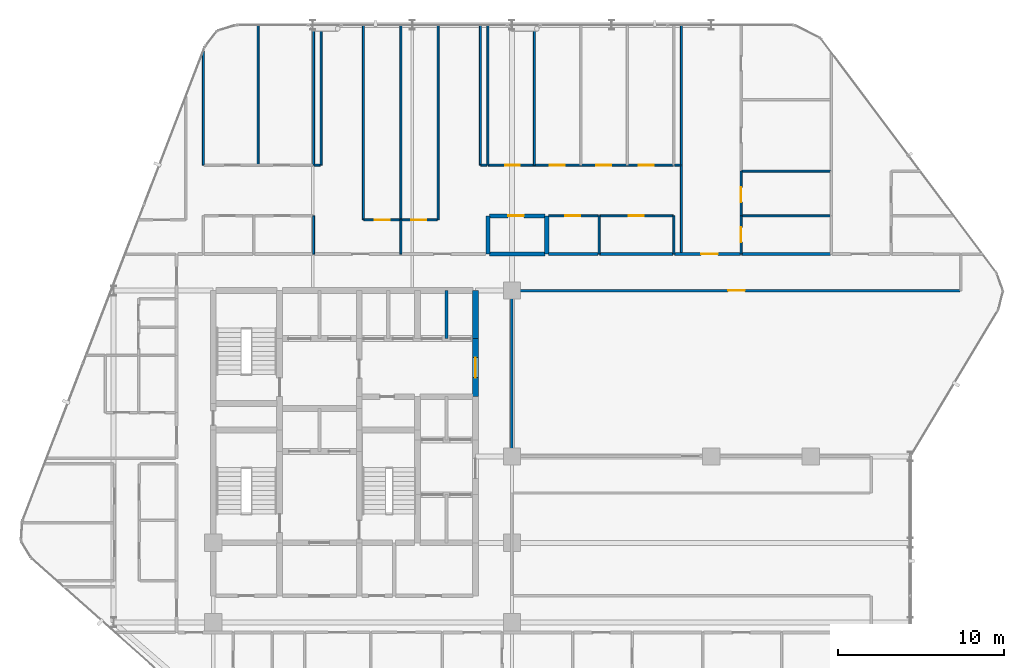
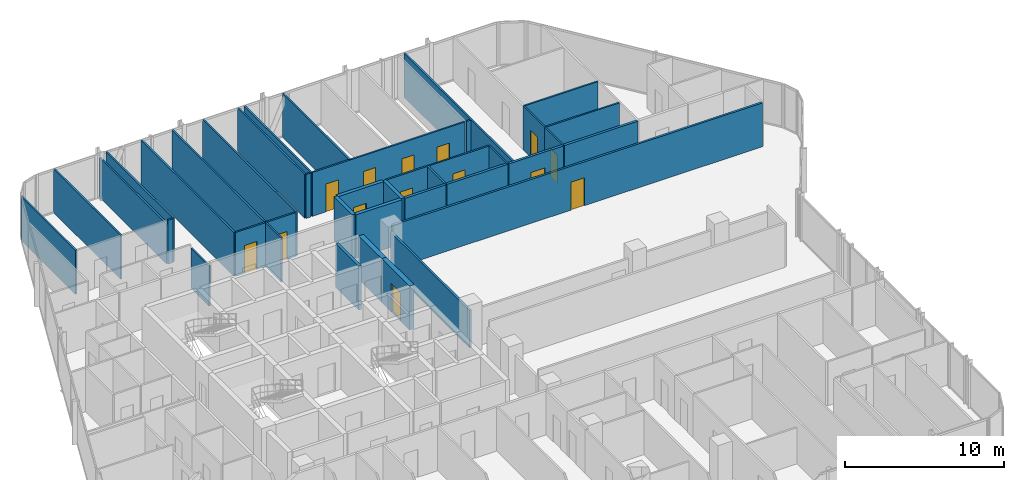
# One storey, part 28 of 30: 39 walls, 14 doors, 14 openings.
"""IFC4 building model written with IfcOpenShell, lengths in metres."""

from ifc_helpers import new_model, si_unit, direction, frame, frame_2d, origin, place, context, subcontext, project, spatial, rectangle, extrude, material, layer, layer_set, type_object, element, fill, save


model = new_model("IFC4")

# Units and contexts
model_context = context("Model", 3, precision=1e-05, world=origin(), true_north=direction((0.0, 1.0)))
body_context = subcontext(model_context, "Body", "Model", "MODEL_VIEW")
ifc_project = project(units=[si_unit("LENGTHUNIT", "METRE"), si_unit("AREAUNIT", "SQUARE_METRE"), si_unit("VOLUMEUNIT", "CUBIC_METRE"), si_unit("PLANEANGLEUNIT", "RADIAN"), si_unit("MASSUNIT", "GRAM", prefix="KILO")], contexts=[model_context])

# Site, building, storey
site_placement = place(None, origin())
site = spatial("IfcSite", under=ifc_project, at=site_placement, CompositionType="ELEMENT")
building_placement = place(site_placement, origin())
building = spatial("IfcBuilding", under=site, at=building_placement, Name="Keshet Zoharim Tower", CompositionType="ELEMENT")
storey_placement = place(building_placement, frame((0.0, 0.0, 116.800048828125)))
storey = spatial("IfcBuildingStorey", under=building, at=storey_placement, Name="L28", CompositionType="ELEMENT", Elevation=116.800048828125)

# Wall
ifc_material_1 = material(Name="Gypsum Plasterboard", Category="gypsum")
ifc_layer_1 = layer(ifc_material_1, 0.14990234375)
ifc_layer_set_1 = layer_set([ifc_layer_1], Name="Gypsum Plasterboard")
wall_type_1 = type_object("IfcWallType", Name="WL-CLIN-150", PredefinedType="STANDARD", material=ifc_layer_set_1)
wall_1_placement = place(storey_placement, frame((33.0, 27.909912109375, 0.0), z_axis=(0.0, 0.0, 1.0), x_axis=(0.0, 1.0, 0.0)))
element("IfcWall", 1, at=wall_1_placement, inside=storey, type_object=wall_type_1, Name="L28 Interior Wall 076", PredefinedType="STANDARD", context=body_context, shape_type="SweptSolid", body=[
    extrude(rectangle(XDim=9.97998046875, YDim=0.14990234375, at=frame_2d((4.989990234375, 0.0))), origin(), (0.0, 0.0, 1.0), 2.8798828125),
])

# Wall, opening, door
wall_2_placement = place(storey_placement, frame((33.070068359375, 37.89990234375, 0.0), z_axis=(0.0, 0.0, 1.0), x_axis=(1.0, 0.0, 0.0)))
wall_2 = element("IfcWall", 2, at=wall_2_placement, inside=storey, type_object=wall_type_1, Name="L28 Interior Wall 181", PredefinedType="STANDARD", context=body_context, shape_type="SweptSolid", body=[
    extrude(rectangle(XDim=26.934814453125, YDim=0.14990234375, at=frame_2d((13.46728515625, 0.0))), origin(), (0.0, 0.0, 1.0), 3.3798828125),
])
opening_1_placement = place(wall_2_placement, frame((12.9599609375, 0.0, 0.0)))
opening_1 = element("IfcOpeningElement", 3, at=opening_1_placement, cuts=wall_2, Name="Opening D-F310", PredefinedType="OPENING", context=body_context, shape_type="SweptSolid", body=[
    extrude(rectangle(XDim=1.0, YDim=2.14990234375, at=frame_2d((0.5, 1.074951171875))), frame((0.0, 0.0849609375, 0.0), z_axis=(0.0, -1.0, 0.0), x_axis=(1.0, 0.0, 0.0)), (0.0, 0.0, 1.0), 0.169921875),
])
ifc_material_2 = material(Name="Hardwood Timber", Category="wood")
door_type_1 = type_object("IfcDoorType", Name="DR-FD30-100", OperationType="NOTDEFINED", PredefinedType="DOOR", material=ifc_material_2)
door_1_placement = place(opening_1_placement, origin())
door_1 = element("IfcDoor", 4, at=door_1_placement, inside=storey, type_object=door_type_1, Name="L28 North East Residents Services Suite Door 1", OperationType="SINGLE_SWING_LEFT", OverallHeight=2.14990234375, OverallWidth=1.0, PredefinedType="DOOR", context=body_context, shape_type="SweptSolid", body=[
    extrude(rectangle(XDim=1.0, YDim=2.14990234375, at=frame_2d((0.5, 1.074951171875))), frame((0.0, 0.02490234375, 0.0), z_axis=(0.0, -1.0, 0.0), x_axis=(1.0, 0.0, 0.0)), (0.0, 0.0, 1.0), 0.050048828125),
])
fill(opening_1, door_1)

ifc_material_3 = material(Name="Concrete C60/75", Category="concrete")
ifc_layer_2 = layer(ifc_material_3, 0.35009765625)
ifc_layer_set_2 = layer_set([ifc_layer_2], Name="Concrete C60/75")
wall_type_2 = type_object("IfcWallType", Name="WL-CORE-350", PredefinedType="SHEAR", material=ifc_layer_set_2)
wall_3_placement = place(storey_placement, frame((30.800048828125, 31.5, 0.0), z_axis=(0.0, 0.0, 1.0), x_axis=(0.0, 1.0, 0.0)))
wall_3 = element("IfcWall", 5, at=wall_3_placement, inside=storey, type_object=wall_type_2, Name="L28 Core Shear Wall 067", PredefinedType="SHEAR", context=body_context, shape_type="SweptSolid", body=[
    extrude(rectangle(XDim=3.5, YDim=0.35009765625, at=frame_2d((1.75, 0.0))), origin(), (0.0, 0.0, 1.0), 3.3798828125),
])
opening_2_placement = place(wall_3_placement, frame((1.14990234375, 0.0, 0.0)))
opening_2 = element("IfcOpeningElement", 6, at=opening_2_placement, cuts=wall_3, Name="Opening D-F612", PredefinedType="OPENING", context=body_context, shape_type="SweptSolid", body=[
    extrude(rectangle(XDim=1.199951171875, YDim=2.199951171875, at=frame_2d((0.60009765625, 1.10009765625))), frame((0.0, 0.18505859375, 0.0), z_axis=(0.0, -1.0, 0.0), x_axis=(1.0, 0.0, 0.0)), (0.0, 0.0, 1.0), 0.3701171875),
])
door_type_2 = type_object("IfcDoorType", Name="DR-FD60-120", OperationType="NOTDEFINED", PredefinedType="DOOR", material=ifc_material_2)
door_2_placement = place(opening_2_placement, origin())
door_2 = element("IfcDoor", 7, at=door_2_placement, inside=storey, type_object=door_type_2, Name="L28 North Lift Lobby East Fire Door", OperationType="SINGLE_SWING_LEFT", OverallHeight=2.199951171875, OverallWidth=1.199951171875, PredefinedType="DOOR", context=body_context, shape_type="SweptSolid", body=[
    extrude(rectangle(XDim=1.199951171875, YDim=2.199951171875, at=frame_2d((0.60009765625, 1.10009765625))), frame((0.0, 0.02490234375, 0.0), z_axis=(0.0, -1.0, 0.0), x_axis=(1.0, 0.0, 0.0)), (0.0, 0.0, 1.0), 0.050048828125),
])
fill(opening_2, door_2)

# Walls
wall_4_placement = place(storey_placement, frame((30.800048828125, 35.0, 0.0), z_axis=(0.0, 0.0, 1.0), x_axis=(0.0, 1.0, 0.0)))
element("IfcWall", 8, at=wall_4_placement, inside=storey, type_object=wall_type_2, Name="L28 Core Shear Wall 068", PredefinedType="SHEAR", context=body_context, shape_type="SweptSolid", body=[
    extrude(rectangle(XDim=2.89990234375, YDim=0.35009765625, at=frame_2d((1.449951171875, 0.0))), origin(), (0.0, 0.0, 1.0), 3.3798828125),
])
ifc_layer_3 = layer(ifc_material_1, 0.179931640625)
ifc_layer_set_3 = layer_set([ifc_layer_3], Name="Gypsum Plasterboard")
wall_type_3 = type_object("IfcWallType", Name="WL-CORR-180", PredefinedType="STANDARD", material=ifc_layer_set_3)
wall_5_placement = place(storey_placement, frame((35.2080078125, 40.10009765625, 0.0), z_axis=(0.0, 0.0, 1.0), x_axis=(1.0, 0.0, 0.0)))
element("IfcWall", 9, at=wall_5_placement, inside=storey, type_object=wall_type_3, Name="L28 Interior Wall 188", PredefinedType="STANDARD", context=body_context, shape_type="SweptSolid", body=[
    extrude(rectangle(XDim=2.987060546875, YDim=0.179931640625, at=frame_2d((1.49365234375, 0.0))), origin(), (0.0, 0.0, 1.0), 3.3798828125),
])
wall_6_placement = place(storey_placement, frame((38.284912109375, 40.10009765625, 0.0), z_axis=(0.0, 0.0, 1.0), x_axis=(1.0, 0.0, 0.0)))
element("IfcWall", 10, at=wall_6_placement, inside=storey, type_object=wall_type_3, Name="L28 Interior Wall 189", PredefinedType="STANDARD", context=body_context, shape_type="SweptSolid", body=[
    extrude(rectangle(XDim=4.420166015625, YDim=0.179931640625, at=frame_2d((2.2099609375, 0.0))), origin(), (0.0, 0.0, 1.0), 3.3798828125),
])

# Wall, opening, door
wall_7_placement = place(storey_placement, frame((42.794921875, 40.10009765625, 0.0), z_axis=(0.0, 0.0, 1.0), x_axis=(1.0, 0.0, 0.0)))
wall_7 = element("IfcWall", 11, at=wall_7_placement, inside=storey, type_object=wall_type_3, Name="L28 Interior Wall 190", PredefinedType="STANDARD", context=body_context, shape_type="SweptSolid", body=[
    extrude(rectangle(XDim=3.9599609375, YDim=0.179931640625, at=frame_2d((1.97998046875, 0.0))), origin(), (0.0, 0.0, 1.0), 3.3798828125),
])
opening_3_placement = place(wall_7_placement, frame((1.60888671875, 0.0, 0.0)))
opening_3 = element("IfcOpeningElement", 12, at=opening_3_placement, cuts=wall_7, Name="Opening D-F310", PredefinedType="OPENING", context=body_context, shape_type="SweptSolid", body=[
    extrude(rectangle(XDim=1.0, YDim=2.14990234375, at=frame_2d((0.5, 1.074951171875))), frame((0.0, 0.10009765625, 0.0), z_axis=(0.0, -1.0, 0.0), x_axis=(1.0, 0.0, 0.0)), (0.0, 0.0, 1.0), 0.199951171875),
])
door_3_placement = place(opening_3_placement, origin())
door_3 = element("IfcDoor", 13, at=door_3_placement, inside=storey, type_object=door_type_1, Name="Apartment 2807 Entrance Door", OperationType="SINGLE_SWING_RIGHT", OverallHeight=2.14990234375, OverallWidth=1.0, PredefinedType="DOOR", context=body_context, shape_type="SweptSolid", body=[
    extrude(rectangle(XDim=1.0, YDim=2.14990234375, at=frame_2d((0.5, 1.074951171875))), frame((0.0, 0.02490234375, 0.0), z_axis=(0.0, -1.0, 0.0), x_axis=(1.0, 0.0, 0.0)), (0.0, 0.0, 1.0), 0.050048828125),
])
fill(opening_3, door_3)

# Walls
wall_8_placement = place(storey_placement, frame((46.844970703125, 40.10009765625, 0.0), z_axis=(0.0, 0.0, 1.0), x_axis=(1.0, 0.0, 0.0)))
element("IfcWall", 14, at=wall_8_placement, inside=storey, type_object=wall_type_3, Name="L28 Interior Wall 191", PredefinedType="STANDARD", context=body_context, shape_type="SweptSolid", body=[
    extrude(rectangle(XDim=5.340087890625, YDim=0.179931640625, at=frame_2d((2.669921875, 0.0))), origin(), (0.0, 0.0, 1.0), 3.3798828125),
])
ifc_material_4 = material(Name="Concrete C50/60", Category="concrete")
ifc_layer_4 = layer(ifc_material_4, 0.199951171875)
ifc_layer_set_4 = layer_set([ifc_layer_4], Name="Concrete C50/60")
wall_type_4 = type_object("IfcWallType", Name="WL-FIRE-200", PredefinedType="STANDARD", material=ifc_layer_set_4)
wall_9_placement = place(storey_placement, frame((29.050048828125, 35.0, 0.0), z_axis=(0.0, 0.0, 1.0), x_axis=(0.0, 1.0, 0.0)))
element("IfcWall", 15, at=wall_9_placement, inside=storey, type_object=wall_type_4, Name="L28 Interior Wall 062", PredefinedType="STANDARD", context=body_context, shape_type="SweptSolid", body=[
    extrude(rectangle(XDim=2.89990234375, YDim=0.199951171875, at=frame_2d((1.449951171875, 0.0))), origin(), (0.0, 0.0, 1.0), 3.3798828125),
])
ifc_layer_5 = layer(ifc_material_4, 0.25)
ifc_layer_set_5 = layer_set([ifc_layer_5], Name="Concrete C50/60")
wall_type_5 = type_object("IfcWallType", Name="WL-MAMAD-250", PredefinedType="STANDARD", material=ifc_layer_set_5)
for number, where, z_axis, x_axis, name in (
    (16, (31.550048828125, 40.10009765625, 0.0), (0.0, 0.0, 1.0), (0.0, 1.0, 0.0), "L28 Interior Wall 070"),
    (17, (35.10009765625, 40.10009765625, 0.0), (0.0, 0.0, 1.0), (0.0, 1.0, 0.0), "L28 Interior Wall 078"),
):
    element("IfcWall", number, at=place(storey_placement, frame(where, z_axis=z_axis, x_axis=x_axis)), inside=storey, type_object=wall_type_5, Name=name, PredefinedType="STANDARD", context=body_context, shape_type="SweptSolid", body=[
        extrude(rectangle(XDim=2.2998046875, YDim=0.25, at=frame_2d((1.14990234375, 0.0))), origin(), (0.0, 0.0, 1.0), 3.3798828125),
    ])
wall_10_placement = place(storey_placement, frame((31.639892578125, 40.10009765625, 0.0), z_axis=(0.0, 0.0, 1.0), x_axis=(1.0, 0.0, 0.0)))
element("IfcWall", 18, at=wall_10_placement, inside=storey, type_object=wall_type_5, Name="L28 Interior Wall 187", PredefinedType="STANDARD", context=body_context, shape_type="SweptSolid", body=[
    extrude(rectangle(XDim=3.34814453125, YDim=0.25, at=frame_2d((1.674072265625, 0.0))), origin(), (0.0, 0.0, 1.0), 3.3798828125),
])

# Wall, opening, door
wall_11_placement = place(storey_placement, frame((31.639892578125, 42.39990234375, 0.0), z_axis=(0.0, 0.0, 1.0), x_axis=(1.0, 0.0, 0.0)))
wall_11 = element("IfcWall", 19, at=wall_11_placement, inside=storey, type_object=wall_type_5, Name="L28 Interior Wall 200", PredefinedType="STANDARD", context=body_context, shape_type="SweptSolid", body=[
    extrude(rectangle(XDim=3.34814453125, YDim=0.25, at=frame_2d((1.674072265625, 0.0))), origin(), (0.0, 0.0, 1.0), 3.3798828125),
])
opening_4_placement = place(wall_11_placement, frame((1.1279296875, 0.0, 0.0)))
opening_4 = element("IfcOpeningElement", 20, at=opening_4_placement, cuts=wall_11, Name="Opening D-F695", PredefinedType="OPENING", context=body_context, shape_type="SweptSolid", body=[
    extrude(rectangle(XDim=0.949951171875, YDim=2.14990234375, at=frame_2d((0.47509765625, 1.074951171875))), frame((0.0, 0.135009765625, 0.0), z_axis=(0.0, -1.0, 0.0), x_axis=(1.0, 0.0, 0.0)), (0.0, 0.0, 1.0), 0.27001953125),
])
door_type_3 = type_object("IfcDoorType", Name="DR-FD60-095", OperationType="NOTDEFINED", PredefinedType="DOOR", material=ifc_material_2)
door_4_placement = place(opening_4_placement, origin())
door_4 = element("IfcDoor", 21, at=door_4_placement, inside=storey, type_object=door_type_3, Name="Apartment 2806 Study and Shelter Room Door", OperationType="SINGLE_SWING_LEFT", OverallHeight=2.14990234375, OverallWidth=0.949951171875, PredefinedType="DOOR", context=body_context, shape_type="SweptSolid", body=[
    extrude(rectangle(XDim=0.949951171875, YDim=2.14990234375, at=frame_2d((0.47509765625, 1.074951171875))), frame((0.0, 0.02490234375, 0.0), z_axis=(0.0, -1.0, 0.0), x_axis=(1.0, 0.0, 0.0)), (0.0, 0.0, 1.0), 0.050048828125),
])
fill(opening_4, door_4)

# Walls
ifc_layer_6 = layer(ifc_material_1, 0.1201171875)
ifc_layer_set_6 = layer_set([ifc_layer_6], Name="Gypsum Plasterboard")
wall_type_6 = type_object("IfcWallType", Name="WL-PART-120", PredefinedType="PARTITIONING", material=ifc_layer_set_6)
wall_12_placement = place(storey_placement, frame((14.39990234375, 45.449951171875, 0.0), z_axis=(0.0, 0.0, 1.0), x_axis=(0.0, 1.0, 0.0)))
element("IfcWall", 22, at=wall_12_placement, inside=storey, type_object=wall_type_6, Name="L28 Interior Wall 018", PredefinedType="PARTITIONING", context=body_context, shape_type="SweptSolid", body=[
    extrude(rectangle(XDim=6.880126953125, YDim=0.1201171875, at=frame_2d((3.43994140625, 0.0))), origin(), (0.0, 0.0, 1.0), 3.3798828125),
])
wall_13_placement = place(storey_placement, frame((17.699951171875, 45.449951171875, 0.0), z_axis=(0.0, 0.0, 1.0), x_axis=(0.0, 1.0, 0.0)))
element("IfcWall", 23, at=wall_13_placement, inside=storey, type_object=wall_type_6, Name="L28 Interior Wall 026", PredefinedType="PARTITIONING", context=body_context, shape_type="SweptSolid", body=[
    extrude(rectangle(XDim=8.43994140625, YDim=0.1201171875, at=frame_2d((4.219970703125, 0.0))), origin(), (0.0, 0.0, 1.0), 3.3798828125),
])
wall_14_placement = place(storey_placement, frame((21.050048828125, 45.449951171875, 0.0), z_axis=(0.0, 0.0, 1.0), x_axis=(0.0, 1.0, 0.0)))
element("IfcWall", 24, at=wall_14_placement, inside=storey, type_object=wall_type_6, Name="L28 Interior Wall 036", PredefinedType="PARTITIONING", context=body_context, shape_type="SweptSolid", body=[
    extrude(rectangle(XDim=8.43994140625, YDim=0.1201171875, at=frame_2d((4.219970703125, 0.0))), origin(), (0.0, 0.0, 1.0), 3.079833984375),
])
wall_15_placement = place(storey_placement, frame((21.5, 45.449951171875, 0.0), z_axis=(0.0, 0.0, 1.0), x_axis=(0.0, 1.0, 0.0)))
element("IfcWall", 25, at=wall_15_placement, inside=storey, type_object=wall_type_6, Name="L28 Interior Wall 039", PredefinedType="PARTITIONING", context=body_context, shape_type="SweptSolid", body=[
    extrude(rectangle(XDim=8.43994140625, YDim=0.1201171875, at=frame_2d((4.219970703125, 0.0))), origin(), (0.0, 0.0, 1.0), 3.3798828125),
])
wall_16_placement = place(storey_placement, frame((24.050048828125, 42.14990234375, 0.0), z_axis=(0.0, 0.0, 1.0), x_axis=(0.0, 1.0, 0.0)))
element("IfcWall", 26, at=wall_16_placement, inside=storey, type_object=wall_type_6, Name="L28 Interior Wall 047", PredefinedType="PARTITIONING", context=body_context, shape_type="SweptSolid", body=[
    extrude(rectangle(XDim=11.739990234375, YDim=0.1201171875, at=frame_2d((5.8701171875, 0.0))), origin(), (0.0, 0.0, 1.0), 3.3798828125),
])
wall_17_placement = place(storey_placement, frame((26.300048828125, 40.10009765625, 0.0), z_axis=(0.0, 0.0, 1.0), x_axis=(0.0, 1.0, 0.0)))
element("IfcWall", 27, at=wall_17_placement, inside=storey, type_object=wall_type_6, Name="L28 Interior Wall 051", PredefinedType="PARTITIONING", context=body_context, shape_type="SweptSolid", body=[
    extrude(rectangle(XDim=2.0498046875, YDim=0.1201171875, at=frame_2d((1.02490234375, 0.0))), origin(), (0.0, 0.0, 1.0), 3.3798828125),
])
for number, where, z_axis, x_axis, name in (
    (28, (26.300048828125, 42.14990234375, 0.0), (0.0, 0.0, 1.0), (0.0, 1.0, 0.0), "L28 Interior Wall 052"),
    (29, (28.550048828125, 42.14990234375, 0.0), (0.0, 0.0, 1.0), (0.0, 1.0, 0.0), "L28 Interior Wall 058"),
):
    element("IfcWall", number, at=place(storey_placement, frame(where, z_axis=z_axis, x_axis=x_axis)), inside=storey, type_object=wall_type_6, Name=name, PredefinedType="PARTITIONING", context=body_context, shape_type="SweptSolid", body=[
        extrude(rectangle(XDim=11.739990234375, YDim=0.1201171875, at=frame_2d((5.8701171875, 0.0))), origin(), (0.0, 0.0, 1.0), 3.3798828125),
    ])
for number, where, z_axis, x_axis, name in (
    (30, (31.10009765625, 45.449951171875, 0.0), (0.0, 0.0, 1.0), (0.0, 1.0, 0.0), "L28 Interior Wall 069"),
    (31, (31.550048828125, 45.449951171875, 0.0), (0.0, 0.0, 1.0), (0.0, 1.0, 0.0), "L28 Interior Wall 071"),
    (32, (34.35009765625, 45.449951171875, 0.0), (0.0, 0.0, 1.0), (0.0, 1.0, 0.0), "L28 Interior Wall 077"),
):
    element("IfcWall", number, at=place(storey_placement, frame(where, z_axis=z_axis, x_axis=x_axis)), inside=storey, type_object=wall_type_6, Name=name, PredefinedType="PARTITIONING", context=body_context, shape_type="SweptSolid", body=[
        extrude(rectangle(XDim=8.43994140625, YDim=0.1201171875, at=frame_2d((4.219970703125, 0.0))), origin(), (0.0, 0.0, 1.0), 3.3798828125),
    ])
wall_18_placement = place(storey_placement, frame((42.75, 40.10009765625, 0.0), z_axis=(0.0, 0.0, 1.0), x_axis=(0.0, 1.0, 0.0)))
element("IfcWall", 33, at=wall_18_placement, inside=storey, type_object=wall_type_6, Name="L28 Interior Wall 088", PredefinedType="PARTITIONING", context=body_context, shape_type="SweptSolid", body=[
    extrude(rectangle(XDim=2.2998046875, YDim=0.1201171875, at=frame_2d((1.14990234375, 0.0))), origin(), (0.0, 0.0, 1.0), 3.3798828125),
])
wall_19_placement = place(storey_placement, frame((43.199951171875, 40.10009765625, 0.0), z_axis=(0.0, 0.0, 1.0), x_axis=(0.0, 1.0, 0.0)))
element("IfcWall", 34, at=wall_19_placement, inside=storey, type_object=wall_type_6, Name="L28 Interior Wall 090", PredefinedType="PARTITIONING", context=body_context, shape_type="SweptSolid", body=[
    extrude(rectangle(XDim=13.789794921875, YDim=0.1201171875, at=frame_2d((6.89501953125, 0.0))), origin(), (0.0, 0.0, 1.0), 3.3798828125),
])

# Wall, opening, door
wall_20_placement = place(storey_placement, frame((46.800048828125, 40.10009765625, 0.0), z_axis=(0.0, 0.0, 1.0), x_axis=(0.0, 1.0, 0.0)))
wall_20 = element("IfcWall", 35, at=wall_20_placement, inside=storey, type_object=wall_type_6, Name="L28 Interior Wall 095", PredefinedType="PARTITIONING", context=body_context, shape_type="SweptSolid", body=[
    extrude(rectangle(XDim=2.2998046875, YDim=0.1201171875, at=frame_2d((1.14990234375, 0.0))), origin(), (0.0, 0.0, 1.0), 3.3798828125),
])
opening_5_placement = place(wall_20_placement, frame((0.699951171875, 0.0, 0.0)))
opening_5 = element("IfcOpeningElement", 36, at=opening_5_placement, cuts=wall_20, Name="Opening D-IN90", PredefinedType="OPENING", context=body_context, shape_type="SweptSolid", body=[
    extrude(rectangle(XDim=0.89990234375, YDim=2.14990234375, at=frame_2d((0.449951171875, 1.074951171875))), frame((0.0, 0.070068359375, 0.0), z_axis=(0.0, -1.0, 0.0), x_axis=(1.0, 0.0, 0.0)), (0.0, 0.0, 1.0), 0.14013671875),
])
door_type_4 = type_object("IfcDoorType", Name="DR-INT-090", OperationType="NOTDEFINED", PredefinedType="DOOR", material=ifc_material_2)
door_5_placement = place(opening_5_placement, origin())
door_5 = element("IfcDoor", 37, at=door_5_placement, inside=storey, type_object=door_type_4, Name="Apartment 2807 Kitchen Door", OperationType="SINGLE_SWING_RIGHT", OverallHeight=2.14990234375, OverallWidth=0.89990234375, PredefinedType="DOOR", context=body_context, shape_type="SweptSolid", body=[
    extrude(rectangle(XDim=0.89990234375, YDim=2.14990234375, at=frame_2d((0.449951171875, 1.074951171875))), frame((0.0, 0.02490234375, 0.0), z_axis=(0.0, -1.0, 0.0), x_axis=(1.0, 0.0, 0.0)), (0.0, 0.0, 1.0), 0.050048828125),
])
fill(opening_5, door_5)

# Wall, openings, doors
wall_21_placement = place(storey_placement, frame((24.074951171875, 42.14990234375, 0.0), z_axis=(0.0, 0.0, 1.0), x_axis=(1.0, 0.0, 0.0)))
wall_21 = element("IfcWall", 38, at=wall_21_placement, inside=storey, type_object=wall_type_6, Name="L28 Interior Wall 197", PredefinedType="PARTITIONING", context=body_context, shape_type="SweptSolid", body=[
    extrude(rectangle(XDim=4.41015625, YDim=0.1201171875, at=frame_2d((2.205078125, 0.0))), origin(), (0.0, 0.0, 1.0), 3.3798828125),
])
opening_6_placement = place(wall_21_placement, frame((0.655029296875, 0.0, 0.0)))
opening_6 = element("IfcOpeningElement", 39, at=opening_6_placement, cuts=wall_21, Name="Opening D-IN90", PredefinedType="OPENING", context=body_context, shape_type="SweptSolid", body=[
    extrude(rectangle(XDim=0.89990234375, YDim=2.14990234375, at=frame_2d((0.449951171875, 1.074951171875))), frame((0.0, 0.070068359375, 0.0), z_axis=(0.0, -1.0, 0.0), x_axis=(1.0, 0.0, 0.0)), (0.0, 0.0, 1.0), 0.14013671875),
])
opening_7_placement = place(wall_21_placement, frame((2.85498046875, 0.0, 0.0)))
opening_7 = element("IfcOpeningElement", 40, at=opening_7_placement, cuts=wall_21, Name="Opening D-IN90", PredefinedType="OPENING", context=body_context, shape_type="SweptSolid", body=[
    extrude(rectangle(XDim=0.89990234375, YDim=2.14990234375, at=frame_2d((0.449951171875, 1.074951171875))), frame((0.0, 0.070068359375, 0.0), z_axis=(0.0, -1.0, 0.0), x_axis=(1.0, 0.0, 0.0)), (0.0, 0.0, 1.0), 0.14013671875),
])
door_6_placement = place(opening_6_placement, origin())
door_6 = element("IfcDoor", 41, at=door_6_placement, inside=storey, type_object=door_type_4, Name="Apartment 2805 Formal Dining Room Door", OperationType="SINGLE_SWING_LEFT", OverallHeight=2.14990234375, OverallWidth=0.89990234375, PredefinedType="DOOR", context=body_context, shape_type="SweptSolid", body=[
    extrude(rectangle(XDim=0.89990234375, YDim=2.14990234375, at=frame_2d((0.449951171875, 1.074951171875))), frame((0.0, 0.02490234375, 0.0), z_axis=(0.0, -1.0, 0.0), x_axis=(1.0, 0.0, 0.0)), (0.0, 0.0, 1.0), 0.050048828125),
])
fill(opening_6, door_6)
door_7_placement = place(opening_7_placement, origin())
door_7 = element("IfcDoor", 42, at=door_7_placement, inside=storey, type_object=door_type_4, Name="Apartment 2806 Formal Dining Room Door", OperationType="SINGLE_SWING_RIGHT", OverallHeight=2.14990234375, OverallWidth=0.89990234375, PredefinedType="DOOR", context=body_context, shape_type="SweptSolid", body=[
    extrude(rectangle(XDim=0.89990234375, YDim=2.14990234375, at=frame_2d((0.449951171875, 1.074951171875))), frame((0.0, 0.02490234375, 0.0), z_axis=(0.0, -1.0, 0.0), x_axis=(1.0, 0.0, 0.0)), (0.0, 0.0, 1.0), 0.050048828125),
])
fill(opening_7, door_7)

# Wall, opening, door
wall_22_placement = place(storey_placement, frame((38.284912109375, 42.39990234375, 0.0), z_axis=(0.0, 0.0, 1.0), x_axis=(1.0, 0.0, 0.0)))
wall_22 = element("IfcWall", 43, at=wall_22_placement, inside=storey, type_object=wall_type_6, Name="L28 Interior Wall 202", PredefinedType="PARTITIONING", context=body_context, shape_type="SweptSolid", body=[
    extrude(rectangle(XDim=4.420166015625, YDim=0.1201171875, at=frame_2d((2.2099609375, 0.0))), origin(), (0.0, 0.0, 1.0), 3.3798828125),
])
opening_8_placement = place(wall_22_placement, frame((1.760009765625, 0.0, 0.0)))
opening_8 = element("IfcOpeningElement", 44, at=opening_8_placement, cuts=wall_22, Name="Opening D-IN90", PredefinedType="OPENING", context=body_context, shape_type="SweptSolid", body=[
    extrude(rectangle(XDim=0.89990234375, YDim=2.14990234375, at=frame_2d((0.449951171875, 1.074951171875))), frame((0.0, 0.070068359375, 0.0), z_axis=(0.0, -1.0, 0.0), x_axis=(1.0, 0.0, 0.0)), (0.0, 0.0, 1.0), 0.14013671875),
])
door_8_placement = place(opening_8_placement, origin())
door_8 = element("IfcDoor", 45, at=door_8_placement, inside=storey, type_object=door_type_4, Name="Apartment 2806 Kitchen Door", OperationType="SINGLE_SWING_LEFT", OverallHeight=2.14990234375, OverallWidth=0.89990234375, PredefinedType="DOOR", context=body_context, shape_type="SweptSolid", body=[
    extrude(rectangle(XDim=0.89990234375, YDim=2.14990234375, at=frame_2d((0.449951171875, 1.074951171875))), frame((0.0, 0.02490234375, 0.0), z_axis=(0.0, -1.0, 0.0), x_axis=(1.0, 0.0, 0.0)), (0.0, 0.0, 1.0), 0.050048828125),
])
fill(opening_8, door_8)

# Walls
for number, where, z_axis, x_axis, name in (
    (46, (21.074951171875, 45.449951171875, 0.0), (0.0, 0.0, 1.0), (1.0, 0.0, 0.0), "L28 Interior Wall 208"),
    (47, (31.125, 45.449951171875, 0.0), (0.0, 0.0, 1.0), (1.0, 0.0, 0.0), "L28 Interior Wall 209"),
):
    element("IfcWall", number, at=place(storey_placement, frame(where, z_axis=z_axis, x_axis=x_axis)), inside=storey, type_object=wall_type_6, Name=name, PredefinedType="PARTITIONING", context=body_context, shape_type="SweptSolid", body=[
        extrude(rectangle(XDim=0.360107421875, YDim=0.1201171875, at=frame_2d((0.18017578125, 0.0))), origin(), (0.0, 0.0, 1.0), 3.3798828125),
    ])

# Wall, openings, doors
wall_23_placement = place(storey_placement, frame((31.574951171875, 45.449951171875, 0.0), z_axis=(0.0, 0.0, 1.0), x_axis=(1.0, 0.0, 0.0)))
wall_23 = element("IfcWall", 48, at=wall_23_placement, inside=storey, type_object=wall_type_6, Name="L28 Interior Wall 210", PredefinedType="PARTITIONING", context=body_context, shape_type="SweptSolid", body=[
    extrude(rectangle(XDim=11.130126953125, YDim=0.1201171875, at=frame_2d((5.56494140625, 0.0))), origin(), (0.0, 0.0, 1.0), 3.3798828125),
])
opening_9_placement = place(wall_23_placement, frame((1.008056640625, 0.0, 0.0)))
opening_9 = element("IfcOpeningElement", 49, at=opening_9_placement, cuts=wall_23, Name="Opening D-IN90", PredefinedType="OPENING", context=body_context, shape_type="SweptSolid", body=[
    extrude(rectangle(XDim=0.89990234375, YDim=2.14990234375, at=frame_2d((0.449951171875, 1.074951171875))), frame((0.0, 0.070068359375, 0.0), z_axis=(0.0, -1.0, 0.0), x_axis=(1.0, 0.0, 0.0)), (0.0, 0.0, 1.0), 0.14013671875),
])
opening_10_placement = place(wall_23_placement, frame((3.712890625, 0.0, 0.0)))
opening_10 = element("IfcOpeningElement", 50, at=opening_10_placement, cuts=wall_23, Name="Opening D-IN90", PredefinedType="OPENING", context=body_context, shape_type="SweptSolid", body=[
    extrude(rectangle(XDim=0.89990234375, YDim=2.14990234375, at=frame_2d((0.449951171875, 1.074951171875))), frame((0.0, 0.070068359375, 0.0), z_axis=(0.0, -1.0, 0.0), x_axis=(1.0, 0.0, 0.0)), (0.0, 0.0, 1.0), 0.14013671875),
])
opening_11_placement = place(wall_23_placement, frame((6.51806640625, 0.0, 0.0)))
opening_11 = element("IfcOpeningElement", 51, at=opening_11_placement, cuts=wall_23, Name="Opening D-IN90", PredefinedType="OPENING", context=body_context, shape_type="SweptSolid", body=[
    extrude(rectangle(XDim=0.89990234375, YDim=2.14990234375, at=frame_2d((0.449951171875, 1.074951171875))), frame((0.0, 0.070068359375, 0.0), z_axis=(0.0, -1.0, 0.0), x_axis=(1.0, 0.0, 0.0)), (0.0, 0.0, 1.0), 0.14013671875),
])
opening_12_placement = place(wall_23_placement, frame((9.072998046875, 0.0, 0.0)))
opening_12 = element("IfcOpeningElement", 52, at=opening_12_placement, cuts=wall_23, Name="Opening D-IN90", PredefinedType="OPENING", context=body_context, shape_type="SweptSolid", body=[
    extrude(rectangle(XDim=0.89990234375, YDim=2.14990234375, at=frame_2d((0.449951171875, 1.074951171875))), frame((0.0, 0.070068359375, 0.0), z_axis=(0.0, -1.0, 0.0), x_axis=(1.0, 0.0, 0.0)), (0.0, 0.0, 1.0), 0.14013671875),
])
door_9_placement = place(opening_9_placement, origin())
door_9 = element("IfcDoor", 53, at=door_9_placement, inside=storey, type_object=door_type_4, Name="Apartment 2806 Bedroom 1 Door", OperationType="SINGLE_SWING_RIGHT", OverallHeight=2.14990234375, OverallWidth=0.89990234375, PredefinedType="DOOR", context=body_context, shape_type="SweptSolid", body=[
    extrude(rectangle(XDim=0.89990234375, YDim=2.14990234375, at=frame_2d((0.449951171875, 1.074951171875))), frame((0.0, 0.02490234375, 0.0), z_axis=(0.0, -1.0, 0.0), x_axis=(1.0, 0.0, 0.0)), (0.0, 0.0, 1.0), 0.050048828125),
])
fill(opening_9, door_9)
door_10_placement = place(opening_10_placement, origin())
door_10 = element("IfcDoor", 54, at=door_10_placement, inside=storey, type_object=door_type_4, Name="Apartment 2806 Bedroom 2 Door", OperationType="SINGLE_SWING_LEFT", OverallHeight=2.14990234375, OverallWidth=0.89990234375, PredefinedType="DOOR", context=body_context, shape_type="SweptSolid", body=[
    extrude(rectangle(XDim=0.89990234375, YDim=2.14990234375, at=frame_2d((0.449951171875, 1.074951171875))), frame((0.0, 0.02490234375, 0.0), z_axis=(0.0, -1.0, 0.0), x_axis=(1.0, 0.0, 0.0)), (0.0, 0.0, 1.0), 0.050048828125),
])
fill(opening_10, door_10)
door_11_placement = place(opening_11_placement, origin())
door_11 = element("IfcDoor", 55, at=door_11_placement, inside=storey, type_object=door_type_4, Name="Apartment 2806 Bedroom 3 Door", OperationType="SINGLE_SWING_RIGHT", OverallHeight=2.14990234375, OverallWidth=0.89990234375, PredefinedType="DOOR", context=body_context, shape_type="SweptSolid", body=[
    extrude(rectangle(XDim=0.89990234375, YDim=2.14990234375, at=frame_2d((0.449951171875, 1.074951171875))), frame((0.0, 0.02490234375, 0.0), z_axis=(0.0, -1.0, 0.0), x_axis=(1.0, 0.0, 0.0)), (0.0, 0.0, 1.0), 0.050048828125),
])
fill(opening_11, door_11)
door_12_placement = place(opening_12_placement, origin())
door_12 = element("IfcDoor", 56, at=door_12_placement, inside=storey, type_object=door_type_4, Name="Apartment 2806 Bedroom 4 Door", OperationType="SINGLE_SWING_LEFT", OverallHeight=2.14990234375, OverallWidth=0.89990234375, PredefinedType="DOOR", context=body_context, shape_type="SweptSolid", body=[
    extrude(rectangle(XDim=0.89990234375, YDim=2.14990234375, at=frame_2d((0.449951171875, 1.074951171875))), frame((0.0, 0.02490234375, 0.0), z_axis=(0.0, -1.0, 0.0), x_axis=(1.0, 0.0, 0.0)), (0.0, 0.0, 1.0), 0.050048828125),
])
fill(opening_12, door_12)

# Walls
wall_24_placement = place(storey_placement, frame((42.794921875, 45.449951171875, 0.0), z_axis=(0.0, 0.0, 1.0), x_axis=(1.0, 0.0, 0.0)))
element("IfcWall", 57, at=wall_24_placement, inside=storey, type_object=wall_type_6, Name="L28 Interior Wall 211", PredefinedType="PARTITIONING", context=body_context, shape_type="SweptSolid", body=[
    extrude(rectangle(XDim=0.360107421875, YDim=0.1201171875, at=frame_2d((0.18017578125, 0.0))), origin(), (0.0, 0.0, 1.0), 3.3798828125),
])
ifc_layer_7 = layer(ifc_material_1, 0.1201171875)
ifc_layer_set_7 = layer_set([ifc_layer_7], Name="Gypsum Plasterboard")
wall_type_7 = type_object("IfcWallType", Name="WL-WET-120", PredefinedType="PARTITIONING", material=ifc_layer_set_7)
wall_25_placement = place(storey_placement, frame((21.050048828125, 40.10009765625, 0.0), z_axis=(0.0, 0.0, 1.0), x_axis=(0.0, 1.0, 0.0)))
element("IfcWall", 58, at=wall_25_placement, inside=storey, type_object=wall_type_7, Name="L28 Interior Wall 035", PredefinedType="PARTITIONING", context=body_context, shape_type="SweptSolid", body=[
    extrude(rectangle(XDim=2.2998046875, YDim=0.1201171875, at=frame_2d((1.14990234375, 0.0))), origin(), (0.0, 0.0, 1.0), 3.079833984375),
])
wall_26_placement = place(storey_placement, frame((38.25, 40.10009765625, 0.0), z_axis=(0.0, 0.0, 1.0), x_axis=(0.0, 1.0, 0.0)))
element("IfcWall", 59, at=wall_26_placement, inside=storey, type_object=wall_type_7, Name="L28 Interior Wall 083", PredefinedType="PARTITIONING", context=body_context, shape_type="SweptSolid", body=[
    extrude(rectangle(XDim=2.2998046875, YDim=0.1201171875, at=frame_2d((1.14990234375, 0.0))), origin(), (0.0, 0.0, 1.0), 3.3798828125),
])

# Wall, opening, door
wall_27_placement = place(storey_placement, frame((46.800048828125, 42.39990234375, 0.0), z_axis=(0.0, 0.0, 1.0), x_axis=(0.0, 1.0, 0.0)))
wall_27 = element("IfcWall", 60, at=wall_27_placement, inside=storey, type_object=wall_type_7, Name="L28 Interior Wall 096", PredefinedType="PARTITIONING", context=body_context, shape_type="SweptSolid", body=[
    extrude(rectangle(XDim=2.7001953125, YDim=0.1201171875, at=frame_2d((1.35009765625, 0.0))), origin(), (0.0, 0.0, 1.0), 3.3798828125),
])
opening_13_placement = place(wall_27_placement, frame((0.827880859375, 0.0, 0.0)))
opening_13 = element("IfcOpeningElement", 61, at=opening_13_placement, cuts=wall_27, Name="Opening D-WT90", PredefinedType="OPENING", context=body_context, shape_type="SweptSolid", body=[
    extrude(rectangle(XDim=0.89990234375, YDim=2.10009765625, at=frame_2d((0.449951171875, 1.050048828125))), frame((0.0, 0.070068359375, 0.0), z_axis=(0.0, -1.0, 0.0), x_axis=(1.0, 0.0, 0.0)), (0.0, 0.0, 1.0), 0.14013671875),
])
door_type_5 = type_object("IfcDoorType", Name="DR-WET-090", OperationType="NOTDEFINED", PredefinedType="DOOR", material=ifc_material_2)
door_13_placement = place(opening_13_placement, origin())
door_13 = element("IfcDoor", 62, at=door_13_placement, inside=storey, type_object=door_type_5, Name="Apartment 2807 Bathroom Door", OperationType="SINGLE_SWING_LEFT", OverallHeight=2.10009765625, OverallWidth=0.89990234375, PredefinedType="DOOR", context=body_context, shape_type="SweptSolid", body=[
    extrude(rectangle(XDim=0.89990234375, YDim=2.10009765625, at=frame_2d((0.449951171875, 1.050048828125))), frame((0.0, 0.02490234375, 0.0), z_axis=(0.0, -1.0, 0.0), x_axis=(1.0, 0.0, 0.0)), (0.0, 0.0, 1.0), 0.050048828125),
])
fill(opening_13, door_13)

wall_28_placement = place(storey_placement, frame((35.2080078125, 42.39990234375, 0.0), z_axis=(0.0, 0.0, 1.0), x_axis=(1.0, 0.0, 0.0)))
wall_28 = element("IfcWall", 63, at=wall_28_placement, inside=storey, type_object=wall_type_7, Name="L28 Interior Wall 201", PredefinedType="PARTITIONING", context=body_context, shape_type="SweptSolid", body=[
    extrude(rectangle(XDim=2.987060546875, YDim=0.1201171875, at=frame_2d((1.49365234375, 0.0))), origin(), (0.0, 0.0, 1.0), 3.3798828125),
])
opening_14_placement = place(wall_28_placement, frame((1.010986328125, 0.0, 0.0)))
opening_14 = element("IfcOpeningElement", 64, at=opening_14_placement, cuts=wall_28, Name="Opening D-WT90", PredefinedType="OPENING", context=body_context, shape_type="SweptSolid", body=[
    extrude(rectangle(XDim=0.89990234375, YDim=2.10009765625, at=frame_2d((0.449951171875, 1.050048828125))), frame((0.0, 0.070068359375, 0.0), z_axis=(0.0, -1.0, 0.0), x_axis=(1.0, 0.0, 0.0)), (0.0, 0.0, 1.0), 0.14013671875),
])
door_14_placement = place(opening_14_placement, origin())
door_14 = element("IfcDoor", 65, at=door_14_placement, inside=storey, type_object=door_type_5, Name="Apartment 2806 Bathroom Door", OperationType="SINGLE_SWING_RIGHT", OverallHeight=2.10009765625, OverallWidth=0.89990234375, PredefinedType="DOOR", context=body_context, shape_type="SweptSolid", body=[
    extrude(rectangle(XDim=0.89990234375, YDim=2.10009765625, at=frame_2d((0.449951171875, 1.050048828125))), frame((0.0, 0.02490234375, 0.0), z_axis=(0.0, -1.0, 0.0), x_axis=(1.0, 0.0, 0.0)), (0.0, 0.0, 1.0), 0.050048828125),
])
fill(opening_14, door_14)

# Walls
for number, where, z_axis, x_axis, name in (
    (66, (46.844970703125, 42.39990234375, 0.0), (0.0, 0.0, 1.0), (1.0, 0.0, 0.0), "L28 Interior Wall 203"),
    (67, (46.844970703125, 45.10009765625, 0.0), (0.0, 0.0, 1.0), (1.0, 0.0, 0.0), "L28 Interior Wall 205"),
):
    element("IfcWall", number, at=place(storey_placement, frame(where, z_axis=z_axis, x_axis=x_axis)), inside=storey, type_object=wall_type_7, Name=name, PredefinedType="PARTITIONING", context=body_context, shape_type="SweptSolid", body=[
        extrude(rectangle(XDim=5.340087890625, YDim=0.1201171875, at=frame_2d((2.669921875, 0.0))), origin(), (0.0, 0.0, 1.0), 3.3798828125),
    ])

save(model, "model.ifc")
